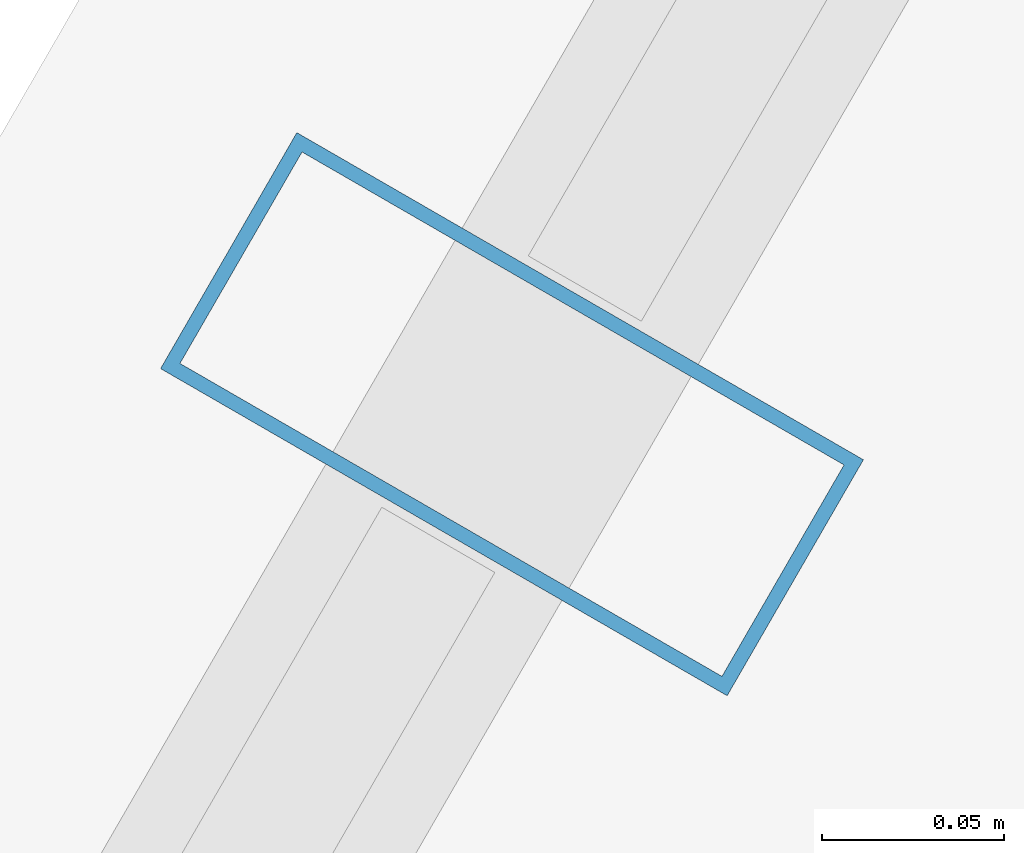
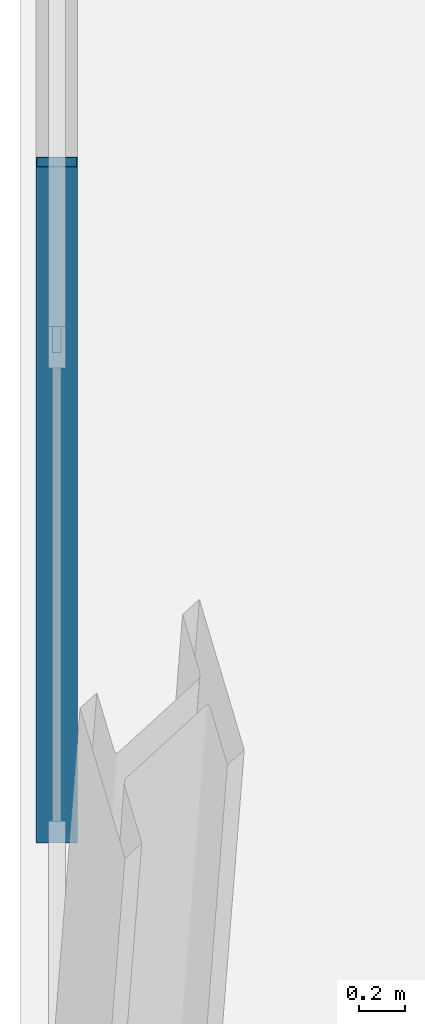
# One storey, part 12 of 32: 1 member, 1 element without a shape of its own.
"""IFC4 building model written with IfcOpenShell, lengths in metres."""

from ifc_helpers import new_model, si_unit, direction, frame, origin, origin_2d, place, context, subcontext, project, spatial, hollow_rectangle, extrude, material, layer, layer_set, material_profile, profile_set, type_object, element, aggregate, save


model = new_model("IFC4")

# Units and contexts
model_context = context("Model", 3, precision=1e-05, world=origin(), true_north=direction((0.0, 1.0)))
body_context = subcontext(model_context, "Body", "Model", "MODEL_VIEW")
ifc_project = project(units=[si_unit("LENGTHUNIT", "METRE"), si_unit("AREAUNIT", "SQUARE_METRE"), si_unit("VOLUMEUNIT", "CUBIC_METRE"), si_unit("PLANEANGLEUNIT", "RADIAN"), si_unit("MASSUNIT", "GRAM", prefix="KILO")], contexts=[model_context])

# Site, building, storey
site_placement = place(None, origin())
site = spatial("IfcSite", under=ifc_project, at=site_placement, CompositionType="ELEMENT")
building_placement = place(site_placement, origin())
building = spatial("IfcBuilding", under=site, at=building_placement, Name="Ndaravel Arena Tower", CompositionType="ELEMENT")
storey_placement = place(building_placement, frame((0.0, 0.0, 55.0)))
storey = spatial("IfcBuildingStorey", under=building, at=storey_placement, Name="L11", CompositionType="ELEMENT", Elevation=55.0)

# Curtain wall, member
ifc_material_1 = material(Name="Aluminium", Category="aluminium")
ifc_layer = layer(ifc_material_1, 0.179931640625)
ifc_layer_set = layer_set([ifc_layer], Name="Aluminium")
curtain_wall_type = type_object("IfcCurtainWallType", Name="CW-SYS-03", PredefinedType="NOTDEFINED", material=ifc_layer_set)
curtain_wall_placement = place(storey_placement, origin())
curtain_wall = element("IfcCurtainWall", 1, at=curtain_wall_placement, inside=storey, type_object=curtain_wall_type, Name="L11 Faceted Crystal Curtain Wall CW-L11-E05", PredefinedType="NOTDEFINED")
ifc_material_2 = material(Name="Aluminium", Category="aluminium")
ifc_material_profile = material_profile(ifc_material_2, hollow_rectangle(XDim=0.074951171875, YDim=0.179931640625, WallThickness=0.00390625, at=origin_2d()), Name="CW MULLION 75x180x4")
ifc_profile_set = profile_set([ifc_material_profile], Name="Aluminium")
member_type = type_object("IfcMemberType", Name="MEM-CW-MUL180", PredefinedType="MULLION", material=ifc_profile_set)
member_placement = place(storey_placement, frame((27.3525390625, 34.360595703125, 0.0), z_axis=(0.0, 0.0, 1.0), x_axis=(-0.5, -0.866025403784, 0.0)))
member = element("IfcMember", 2, at=member_placement, type_object=member_type, Name="CW-L11-E05 Mullion 03", PredefinedType="MULLION", context=body_context, shape_type="SweptSolid", body=[
    extrude(hollow_rectangle(XDim=0.074951171875, YDim=0.179931640625, WallThickness=0.00390625, at=origin_2d()), origin(), (0.0, 0.0, 1.0), 3.580078125),
])
aggregate(curtain_wall, [member])

save(model, "model.ifc")
